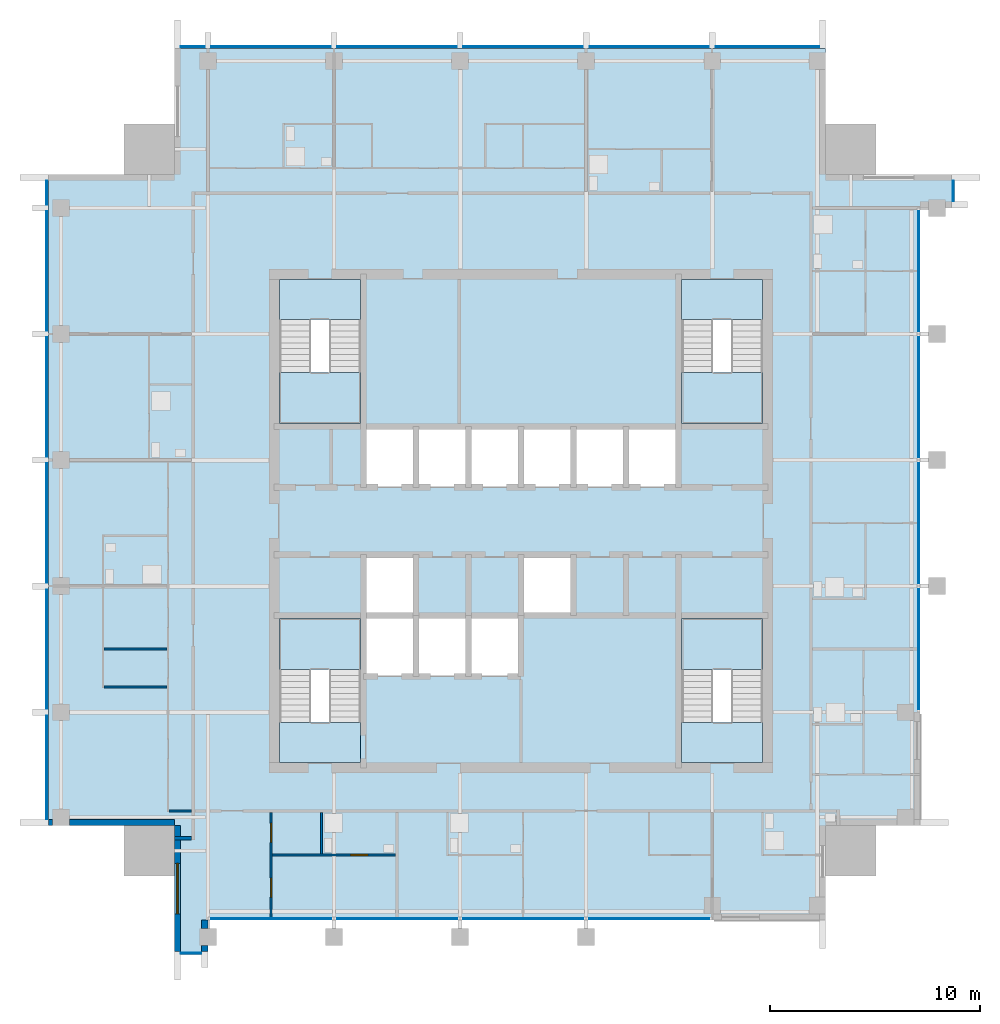
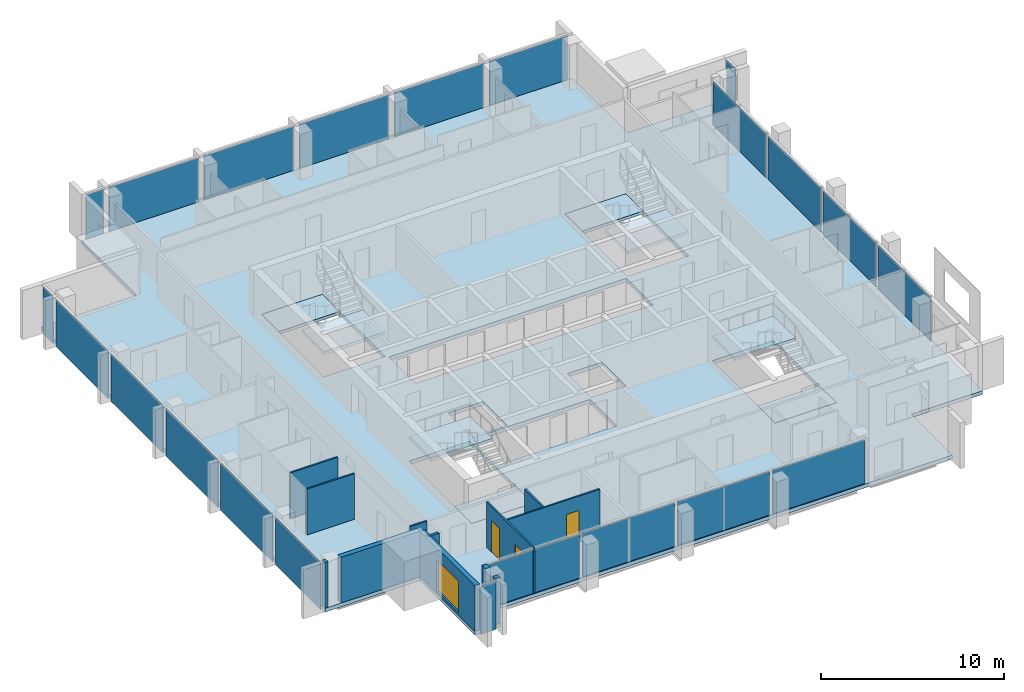
# One storey, part 6 of 13: 22 plates, 12 walls, 9 slabs, 3 doors, 1 window, 4 openings, 16 elements without a shape of their own.
"""IFC4 building model written with IfcOpenShell, lengths in metres."""

from ifc_helpers import new_model, si_unit, direction, frame, frame_2d, origin, origin_2d, place, context, subcontext, project, spatial, polyline, rectangle, outline, extrude, material, layer, layer_set, type_object, element, fill, aggregate, save


model = new_model("IFC4")

# Units and contexts
model_context = context("Model", 3, precision=1e-05, world=origin(), true_north=direction((0.0, 1.0)))
body_context = subcontext(model_context, "Body", "Model", "MODEL_VIEW")
ifc_project = project(units=[si_unit("LENGTHUNIT", "METRE"), si_unit("AREAUNIT", "SQUARE_METRE"), si_unit("VOLUMEUNIT", "CUBIC_METRE"), si_unit("PLANEANGLEUNIT", "RADIAN"), si_unit("MASSUNIT", "GRAM", prefix="KILO")], contexts=[model_context])

# Site, building, storey
site_placement = place(None, origin())
site = spatial("IfcSite", under=ifc_project, at=site_placement, CompositionType="ELEMENT")
building_placement = place(site_placement, origin())
building = spatial("IfcBuilding", under=site, at=building_placement, Name="Amberfall Residences", CompositionType="ELEMENT")
storey_placement = place(building_placement, frame((0.0, 0.0, 271.89990234375)))
storey = spatial("IfcBuildingStorey", under=building, at=storey_placement, Name="L73", CompositionType="ELEMENT", Elevation=271.89990234375)

# Curtain wall, plate
ifc_material_1 = material(Name="Bronze anodised aluminium and glass", Category="aluminium")
curtain_wall_type_1 = type_object("IfcCurtainWallType", Name="Curtain wall CW1 tower unit", PredefinedType="USERDEFINED", material=ifc_material_1)
curtain_wall_1_placement = place(storey_placement, origin())
curtain_wall_1 = element("IfcCurtainWall", 1, at=curtain_wall_1_placement, inside=storey, type_object=curtain_wall_type_1, Name="Curtain wall L73 S S1", ObjectType="UNITISED CURTAIN WALL", PredefinedType="USERDEFINED")
ifc_material_2 = material(Name="Tinted double glazed unit", Category="glass")
ifc_layer_1 = layer(ifc_material_2, 0.035888671875)
ifc_layer_set_1 = layer_set([ifc_layer_1], Name="CW1 panel 36 glazing")
plate_type_1 = type_object("IfcPlateType", Name="CW1 panel 36 glazing", PredefinedType="CURTAIN_PANEL", material=ifc_layer_set_1)
plate_1_placement = place(storey_placement, frame((58.800048828125, 24.925048828125, -0.249755859375), z_axis=(0.0, 0.0, 1.0), x_axis=(1.0, 0.0, 0.0)))
plate_1 = element("IfcPlate", 2, at=plate_1_placement, type_object=plate_type_1, Name="CW1 panel 1.1", PredefinedType="CURTAIN_PANEL", context=body_context, shape_type="SweptSolid", body=[
    extrude(rectangle(XDim=0.97607421875, YDim=0.035888671875, at=origin_2d()), origin(), (0.0, 0.0, 1.0), 3.14990234375),
])
aggregate(curtain_wall_1, [plate_1])

curtain_wall_2_placement = place(storey_placement, origin())
curtain_wall_2 = element("IfcCurtainWall", 3, at=curtain_wall_2_placement, inside=storey, type_object=curtain_wall_type_1, Name="Curtain wall L73 E E7", ObjectType="UNITISED CURTAIN WALL", PredefinedType="USERDEFINED")
plate_2_placement = place(storey_placement, frame((95.074951171875, 61.199951171875, -0.249755859375), z_axis=(0.0, 0.0, 1.0), x_axis=(0.0, 1.0, 0.0)))
plate_2 = element("IfcPlate", 4, at=plate_2_placement, type_object=plate_type_1, Name="CW1 panel 1.1", PredefinedType="CURTAIN_PANEL", context=body_context, shape_type="SweptSolid", body=[
    extrude(rectangle(XDim=0.97607421875, YDim=0.035888671875, at=origin_2d()), origin(), (0.0, 0.0, 1.0), 3.14990234375),
])
aggregate(curtain_wall_2, [plate_2])

# Curtain wall, plates
curtain_wall_3_placement = place(storey_placement, origin())
curtain_wall_3 = element("IfcCurtainWall", 5, at=curtain_wall_3_placement, inside=storey, type_object=curtain_wall_type_1, Name="Curtain wall L73 N N1", ObjectType="UNITISED CURTAIN WALL", PredefinedType="USERDEFINED")
plate_3_placement = place(storey_placement, frame((86.22509765625, 68.074951171875, -0.249755859375), z_axis=(0.0, 0.0, 1.0), x_axis=(-1.0, 0.0, 0.0)))
plate_3 = element("IfcPlate", 6, at=plate_3_placement, type_object=plate_type_1, Name="CW1 panel 1.1", PredefinedType="CURTAIN_PANEL", context=body_context, shape_type="SweptSolid", body=[
    extrude(rectangle(XDim=4.926025390625, YDim=0.035888671875, at=origin_2d()), origin(), (0.0, 0.0, 1.0), 3.14990234375),
])
plate_4_placement = place(storey_placement, frame((80.60009765625, 68.074951171875, -0.249755859375), z_axis=(0.0, 0.0, 1.0), x_axis=(-1.0, 0.0, 0.0)))
plate_4 = element("IfcPlate", 7, at=plate_4_placement, type_object=plate_type_1, Name="CW1 panel 2.1", PredefinedType="CURTAIN_PANEL", context=body_context, shape_type="SweptSolid", body=[
    extrude(rectangle(XDim=5.676025390625, YDim=0.035888671875, at=origin_2d()), origin(), (0.0, 0.0, 1.0), 3.14990234375),
])
plate_5_placement = place(storey_placement, frame((74.60009765625, 68.074951171875, -0.249755859375), z_axis=(0.0, 0.0, 1.0), x_axis=(-1.0, 0.0, 0.0)))
plate_5 = element("IfcPlate", 8, at=plate_5_placement, type_object=plate_type_1, Name="CW1 panel 3.1", PredefinedType="CURTAIN_PANEL", context=body_context, shape_type="SweptSolid", body=[
    extrude(rectangle(XDim=5.676025390625, YDim=0.035888671875, at=origin_2d()), origin(), (0.0, 0.0, 1.0), 3.14990234375),
])
plate_6_placement = place(storey_placement, frame((68.60009765625, 68.074951171875, -0.249755859375), z_axis=(0.0, 0.0, 1.0), x_axis=(-1.0, 0.0, 0.0)))
plate_6 = element("IfcPlate", 9, at=plate_6_placement, type_object=plate_type_1, Name="CW1 panel 4.1", PredefinedType="CURTAIN_PANEL", context=body_context, shape_type="SweptSolid", body=[
    extrude(rectangle(XDim=5.676025390625, YDim=0.035888671875, at=origin_2d()), origin(), (0.0, 0.0, 1.0), 3.14990234375),
])
plate_7_placement = place(storey_placement, frame((62.60009765625, 68.074951171875, -0.249755859375), z_axis=(0.0, 0.0, 1.0), x_axis=(-1.0, 0.0, 0.0)))
plate_7 = element("IfcPlate", 10, at=plate_7_placement, type_object=plate_type_1, Name="CW1 panel 5.1", PredefinedType="CURTAIN_PANEL", context=body_context, shape_type="SweptSolid", body=[
    extrude(rectangle(XDim=5.676025390625, YDim=0.035888671875, at=origin_2d()), origin(), (0.0, 0.0, 1.0), 3.14990234375),
])
plate_8_placement = place(storey_placement, frame((58.875, 68.074951171875, -0.249755859375), z_axis=(0.0, 0.0, 1.0), x_axis=(-1.0, 0.0, 0.0)))
plate_8 = element("IfcPlate", 11, at=plate_8_placement, type_object=plate_type_1, Name="CW1 panel 6.1", PredefinedType="CURTAIN_PANEL", context=body_context, shape_type="SweptSolid", body=[
    extrude(rectangle(XDim=1.1259765625, YDim=0.035888671875, at=origin_2d()), origin(), (0.0, 0.0, 1.0), 3.14990234375),
])
aggregate(curtain_wall_3, [plate_3, plate_4, plate_5, plate_6, plate_7, plate_8])

curtain_wall_4_placement = place(storey_placement, origin())
curtain_wall_4 = element("IfcCurtainWall", 12, at=curtain_wall_4_placement, inside=storey, type_object=curtain_wall_type_1, Name="Curtain wall L73 W W1", ObjectType="UNITISED CURTAIN WALL", PredefinedType="USERDEFINED")
plate_9_placement = place(storey_placement, frame((51.925048828125, 61.125, -0.249755859375), z_axis=(0.0, 0.0, 1.0), x_axis=(0.0, -1.0, 0.0)))
plate_9 = element("IfcPlate", 13, at=plate_9_placement, type_object=plate_type_1, Name="CW1 panel 1.1", PredefinedType="CURTAIN_PANEL", context=body_context, shape_type="SweptSolid", body=[
    extrude(rectangle(XDim=1.1259765625, YDim=0.035888671875, at=origin_2d()), origin(), (0.0, 0.0, 1.0), 3.14990234375),
])
plate_10_placement = place(storey_placement, frame((51.925048828125, 57.39990234375, -0.249755859375), z_axis=(0.0, 0.0, 1.0), x_axis=(0.0, -1.0, 0.0)))
plate_10 = element("IfcPlate", 14, at=plate_10_placement, type_object=plate_type_1, Name="CW1 panel 2.1", PredefinedType="CURTAIN_PANEL", context=body_context, shape_type="SweptSolid", body=[
    extrude(rectangle(XDim=5.676025390625, YDim=0.035888671875, at=origin_2d()), origin(), (0.0, 0.0, 1.0), 3.14990234375),
])
plate_11_placement = place(storey_placement, frame((51.925048828125, 51.39990234375, -0.249755859375), z_axis=(0.0, 0.0, 1.0), x_axis=(0.0, -1.0, 0.0)))
plate_11 = element("IfcPlate", 15, at=plate_11_placement, type_object=plate_type_1, Name="CW1 panel 3.1", PredefinedType="CURTAIN_PANEL", context=body_context, shape_type="SweptSolid", body=[
    extrude(rectangle(XDim=5.676025390625, YDim=0.035888671875, at=origin_2d()), origin(), (0.0, 0.0, 1.0), 3.14990234375),
])
plate_12_placement = place(storey_placement, frame((51.925048828125, 45.39990234375, -0.249755859375), z_axis=(0.0, 0.0, 1.0), x_axis=(0.0, -1.0, 0.0)))
plate_12 = element("IfcPlate", 16, at=plate_12_placement, type_object=plate_type_1, Name="CW1 panel 4.1", PredefinedType="CURTAIN_PANEL", context=body_context, shape_type="SweptSolid", body=[
    extrude(rectangle(XDim=5.676025390625, YDim=0.035888671875, at=origin_2d()), origin(), (0.0, 0.0, 1.0), 3.14990234375),
])
plate_13_placement = place(storey_placement, frame((51.925048828125, 39.39990234375, -0.249755859375), z_axis=(0.0, 0.0, 1.0), x_axis=(0.0, -1.0, 0.0)))
plate_13 = element("IfcPlate", 17, at=plate_13_placement, type_object=plate_type_1, Name="CW1 panel 5.1", PredefinedType="CURTAIN_PANEL", context=body_context, shape_type="SweptSolid", body=[
    extrude(rectangle(XDim=5.676025390625, YDim=0.035888671875, at=origin_2d()), origin(), (0.0, 0.0, 1.0), 3.14990234375),
])
plate_14_placement = place(storey_placement, frame((51.925048828125, 33.77490234375, -0.249755859375), z_axis=(0.0, 0.0, 1.0), x_axis=(0.0, -1.0, 0.0)))
plate_14 = element("IfcPlate", 18, at=plate_14_placement, type_object=plate_type_1, Name="CW1 panel 6.1", PredefinedType="CURTAIN_PANEL", context=body_context, shape_type="SweptSolid", body=[
    extrude(rectangle(XDim=4.926025390625, YDim=0.035888671875, at=origin_2d()), origin(), (0.0, 0.0, 1.0), 3.14990234375),
])
aggregate(curtain_wall_4, [plate_9, plate_10, plate_11, plate_12, plate_13, plate_14])

# Curtain wall, plate
curtain_wall_type_2 = type_object("IfcCurtainWallType", Name="Curtain wall CW3 sky garden glazing", PredefinedType="USERDEFINED", material=ifc_material_1)
curtain_wall_5_placement = place(storey_placement, origin())
curtain_wall_5 = element("IfcCurtainWall", 19, at=curtain_wall_5_placement, inside=storey, type_object=curtain_wall_type_2, Name="Curtain wall L73 S S3", ObjectType="UNITISED CURTAIN WALL", PredefinedType="USERDEFINED")
ifc_material_3 = material(Name="Tinted laminated double glazed unit", Category="glass")
ifc_layer_2 = layer(ifc_material_3, 0.0439453125)
ifc_layer_set_2 = layer_set([ifc_layer_2], Name="CW3 panel 44 glazing")
plate_type_2 = type_object("IfcPlateType", Name="CW3 panel 44 glazing", PredefinedType="CURTAIN_PANEL", material=ifc_layer_set_2)
plate_15_placement = place(storey_placement, frame((62.60009765625, 26.574951171875, 0.000244140625), z_axis=(0.0, 0.0, 1.0), x_axis=(1.0, 0.0, 0.0)))
plate_15 = element("IfcPlate", 20, at=plate_15_placement, type_object=plate_type_2, Name="CW3 panel 1.1", PredefinedType="CURTAIN_PANEL", context=body_context, shape_type="SweptSolid", body=[
    extrude(rectangle(XDim=5.77587890625, YDim=0.0439453125, at=origin_2d()), origin(), (0.0, 0.0, 1.0), 2.89990234375),
])
aggregate(curtain_wall_5, [plate_15])

curtain_wall_6_placement = place(storey_placement, origin())
curtain_wall_6 = element("IfcCurtainWall", 21, at=curtain_wall_6_placement, inside=storey, type_object=curtain_wall_type_2, Name="Curtain wall L73 S S4", ObjectType="UNITISED CURTAIN WALL", PredefinedType="USERDEFINED")
plate_16_placement = place(storey_placement, frame((68.60009765625, 26.574951171875, 0.000244140625), z_axis=(0.0, 0.0, 1.0), x_axis=(1.0, 0.0, 0.0)))
plate_16 = element("IfcPlate", 22, at=plate_16_placement, type_object=plate_type_2, Name="CW3 panel 1.1", PredefinedType="CURTAIN_PANEL", context=body_context, shape_type="SweptSolid", body=[
    extrude(rectangle(XDim=5.77587890625, YDim=0.0439453125, at=origin_2d()), origin(), (0.0, 0.0, 1.0), 2.89990234375),
])
aggregate(curtain_wall_6, [plate_16])

curtain_wall_7_placement = place(storey_placement, origin())
curtain_wall_7 = element("IfcCurtainWall", 23, at=curtain_wall_7_placement, inside=storey, type_object=curtain_wall_type_2, Name="Curtain wall L73 S S5", ObjectType="UNITISED CURTAIN WALL", PredefinedType="USERDEFINED")
plate_17_placement = place(storey_placement, frame((74.60009765625, 26.574951171875, 0.000244140625), z_axis=(0.0, 0.0, 1.0), x_axis=(1.0, 0.0, 0.0)))
plate_17 = element("IfcPlate", 24, at=plate_17_placement, type_object=plate_type_2, Name="CW3 panel 1.1", PredefinedType="CURTAIN_PANEL", context=body_context, shape_type="SweptSolid", body=[
    extrude(rectangle(XDim=5.77587890625, YDim=0.0439453125, at=origin_2d()), origin(), (0.0, 0.0, 1.0), 2.89990234375),
])
aggregate(curtain_wall_7, [plate_17])

curtain_wall_8_placement = place(storey_placement, origin())
curtain_wall_8 = element("IfcCurtainWall", 25, at=curtain_wall_8_placement, inside=storey, type_object=curtain_wall_type_2, Name="Curtain wall L73 S S6", ObjectType="UNITISED CURTAIN WALL", PredefinedType="USERDEFINED")
plate_18_placement = place(storey_placement, frame((80.60009765625, 26.574951171875, 0.000244140625), z_axis=(0.0, 0.0, 1.0), x_axis=(1.0, 0.0, 0.0)))
plate_18 = element("IfcPlate", 26, at=plate_18_placement, type_object=plate_type_2, Name="CW3 panel 1.1", PredefinedType="CURTAIN_PANEL", context=body_context, shape_type="SweptSolid", body=[
    extrude(rectangle(XDim=5.77587890625, YDim=0.0439453125, at=origin_2d()), origin(), (0.0, 0.0, 1.0), 2.89990234375),
])
aggregate(curtain_wall_8, [plate_18])

curtain_wall_9_placement = place(storey_placement, origin())
curtain_wall_9 = element("IfcCurtainWall", 27, at=curtain_wall_9_placement, inside=storey, type_object=curtain_wall_type_2, Name="Curtain wall L73 E E2", ObjectType="UNITISED CURTAIN WALL", PredefinedType="USERDEFINED")
plate_19_placement = place(storey_placement, frame((93.425048828125, 39.39990234375, 0.000244140625), z_axis=(0.0, 0.0, 1.0), x_axis=(0.0, 1.0, 0.0)))
plate_19 = element("IfcPlate", 28, at=plate_19_placement, type_object=plate_type_2, Name="CW3 panel 1.1", PredefinedType="CURTAIN_PANEL", context=body_context, shape_type="SweptSolid", body=[
    extrude(rectangle(XDim=5.77587890625, YDim=0.0439453125, at=origin_2d()), origin(), (0.0, 0.0, 1.0), 2.89990234375),
])
aggregate(curtain_wall_9, [plate_19])

curtain_wall_10_placement = place(storey_placement, origin())
curtain_wall_10 = element("IfcCurtainWall", 29, at=curtain_wall_10_placement, inside=storey, type_object=curtain_wall_type_2, Name="Curtain wall L73 E E3", ObjectType="UNITISED CURTAIN WALL", PredefinedType="USERDEFINED")
plate_20_placement = place(storey_placement, frame((93.425048828125, 45.39990234375, 0.000244140625), z_axis=(0.0, 0.0, 1.0), x_axis=(0.0, 1.0, 0.0)))
plate_20 = element("IfcPlate", 30, at=plate_20_placement, type_object=plate_type_2, Name="CW3 panel 1.1", PredefinedType="CURTAIN_PANEL", context=body_context, shape_type="SweptSolid", body=[
    extrude(rectangle(XDim=5.77587890625, YDim=0.0439453125, at=origin_2d()), origin(), (0.0, 0.0, 1.0), 2.89990234375),
])
aggregate(curtain_wall_10, [plate_20])

curtain_wall_11_placement = place(storey_placement, origin())
curtain_wall_11 = element("IfcCurtainWall", 31, at=curtain_wall_11_placement, inside=storey, type_object=curtain_wall_type_2, Name="Curtain wall L73 E E4", ObjectType="UNITISED CURTAIN WALL", PredefinedType="USERDEFINED")
plate_21_placement = place(storey_placement, frame((93.425048828125, 51.39990234375, 0.000244140625), z_axis=(0.0, 0.0, 1.0), x_axis=(0.0, 1.0, 0.0)))
plate_21 = element("IfcPlate", 32, at=plate_21_placement, type_object=plate_type_2, Name="CW3 panel 1.1", PredefinedType="CURTAIN_PANEL", context=body_context, shape_type="SweptSolid", body=[
    extrude(rectangle(XDim=5.77587890625, YDim=0.0439453125, at=origin_2d()), origin(), (0.0, 0.0, 1.0), 2.89990234375),
])
aggregate(curtain_wall_11, [plate_21])

curtain_wall_12_placement = place(storey_placement, origin())
curtain_wall_12 = element("IfcCurtainWall", 33, at=curtain_wall_12_placement, inside=storey, type_object=curtain_wall_type_2, Name="Curtain wall L73 E E5", ObjectType="UNITISED CURTAIN WALL", PredefinedType="USERDEFINED")
plate_22_placement = place(storey_placement, frame((93.425048828125, 57.39990234375, 0.000244140625), z_axis=(0.0, 0.0, 1.0), x_axis=(0.0, 1.0, 0.0)))
plate_22 = element("IfcPlate", 34, at=plate_22_placement, type_object=plate_type_2, Name="CW3 panel 1.1", PredefinedType="CURTAIN_PANEL", context=body_context, shape_type="SweptSolid", body=[
    extrude(rectangle(XDim=5.77587890625, YDim=0.0439453125, at=origin_2d()), origin(), (0.0, 0.0, 1.0), 2.89990234375),
])
aggregate(curtain_wall_12, [plate_22])

# Slab
ifc_material_4 = material(Name="Concrete C50", Category="concrete")
ifc_layer_3 = layer(ifc_material_4, 0.25)
ifc_layer_set_3 = layer_set([ifc_layer_3], Name="Floor slab 250 C50")
slab_type_1 = type_object("IfcSlabType", Name="Floor slab 250 C50", PredefinedType="FLOOR", material=ifc_layer_set_3)
slab_1_placement = place(storey_placement, frame((0.0, 0.0, -0.25)))
element("IfcSlab", 35, at=slab_1_placement, inside=storey, type_object=slab_type_1, Name="Floor slab S19 L73", PredefinedType="FLOOR", context=body_context, shape_type="SweptSolid", body=[
    extrude(outline(polyline([(83.60009765625, 26.5), (77.60009765625, 26.5), (71.60009765625, 26.5), (65.60009765625, 26.5), (59.60009765625, 26.5), (59.60009765625, 25.0), (58.0, 25.0), (58.0, 31.0), (52.0, 31.0), (52.0, 62.0), (58.0, 62.0), (58.0, 68.0), (89.0, 68.0), (89.0, 62.0), (95.0, 62.0), (95.0, 60.39990234375), (93.5, 60.39990234375), (93.5, 54.39990234375), (93.5, 48.39990234375), (93.5, 42.39990234375), (93.5, 36.39990234375), (93.5, 31.0), (89.0, 31.0), (89.0, 26.5), (83.60009765625, 26.5)]), holes=[polyline([(86.0, 34.0), (86.0, 40.85009765625), (82.14990234375, 40.85009765625), (82.14990234375, 34.0), (86.0, 34.0)]), polyline([(86.0, 50.14990234375), (86.0, 57.0), (82.14990234375, 57.0), (82.14990234375, 50.14990234375), (86.0, 50.14990234375)]), polyline([(72.0, 50.0), (69.5, 50.0), (67.0, 50.0), (67.0, 47.10009765625), (69.5, 47.10009765625), (72.0, 47.10009765625), (74.5, 47.10009765625), (77.0, 47.10009765625), (79.5, 47.10009765625), (82.0, 47.10009765625), (82.0, 50.0), (79.5, 50.0), (77.0, 50.0), (74.5, 50.0), (72.0, 50.0)]), polyline([(76.85009765625, 41.14990234375), (76.85009765625, 43.75), (74.64990234375, 43.75), (74.64990234375, 41.14990234375), (76.85009765625, 41.14990234375)]), polyline([(69.5, 41.0), (67.0, 41.0), (67.0, 38.10009765625), (69.5, 38.10009765625), (72.0, 38.10009765625), (74.5, 38.10009765625), (74.5, 41.0), (72.0, 41.0), (69.5, 41.0)]), polyline([(69.35009765625, 41.14990234375), (69.35009765625, 43.75), (67.14990234375, 43.75), (67.14990234375, 41.14990234375), (69.35009765625, 41.14990234375)]), polyline([(66.85009765625, 50.14990234375), (66.85009765625, 57.0), (63.0, 57.0), (63.0, 50.14990234375), (66.85009765625, 50.14990234375)]), polyline([(66.85009765625, 40.85009765625), (63.0, 40.85009765625), (63.0, 34.0), (66.85009765625, 34.0), (66.85009765625, 40.85009765625)])]), origin(), (0.0, 0.0, 1.0), 0.25),
])

# Stair, slabs
ifc_material_5 = material(Name="Concrete C40", Category="concrete")
stair_type = type_object("IfcStairType", Name="Exit stair 20 risers 165.0 mm", PredefinedType="HALF_TURN_STAIR", material=ifc_material_5)
stair_1_placement = place(storey_placement, origin())
stair_1 = element("IfcStair", 36, at=stair_1_placement, inside=storey, type_object=stair_type, Name="L73 Exit stair 1", PredefinedType="HALF_TURN_STAIR")
ifc_layer_4 = layer(ifc_material_5, 0.199951171875)
ifc_layer_set_4 = layer_set([ifc_layer_4], Name="Stair landing 200")
slab_type_2 = type_object("IfcSlabType", Name="Stair landing 200", PredefinedType="LANDING", material=ifc_layer_set_4)
slab_2_placement = place(storey_placement, frame((0.0, 0.0, 1.4501953125)))
slab_2 = element("IfcSlab", 37, at=slab_2_placement, type_object=slab_type_2, Name="ST3 landing 1", PredefinedType="LANDING", context=body_context, shape_type="SweptSolid", body=[
    extrude(outline(polyline([(66.85009765625, 38.419921875), (66.85009765625, 40.85009765625), (63.0, 40.85009765625), (63.0, 38.419921875), (66.85009765625, 38.419921875)])), origin(), (0.0, 0.0, 1.0), 0.199951171875),
])
slab_3_placement = place(storey_placement, frame((0.0, 0.0, -0.199951171875)))
slab_3 = element("IfcSlab", 38, at=slab_3_placement, type_object=slab_type_2, Name="ST3 landing 2", PredefinedType="LANDING", context=body_context, shape_type="SweptSolid", body=[
    extrude(outline(polyline([(66.85009765625, 34.0), (66.85009765625, 35.89990234375), (63.0, 35.89990234375), (63.0, 34.0), (66.85009765625, 34.0)])), origin(), (0.0, 0.0, 1.0), 0.199951171875),
])
aggregate(stair_1, [slab_2, slab_3])

stair_2_placement = place(storey_placement, origin())
stair_2 = element("IfcStair", 39, at=stair_2_placement, inside=storey, type_object=stair_type, Name="L73 Exit stair 2", PredefinedType="HALF_TURN_STAIR")
slab_4_placement = place(storey_placement, frame((0.0, 0.0, 1.4501953125)))
slab_4 = element("IfcSlab", 40, at=slab_4_placement, type_object=slab_type_2, Name="ST3 landing 1", PredefinedType="LANDING", context=body_context, shape_type="SweptSolid", body=[
    extrude(outline(polyline([(86.0, 38.419921875), (86.0, 40.85009765625), (82.14990234375, 40.85009765625), (82.14990234375, 38.419921875), (86.0, 38.419921875)])), origin(), (0.0, 0.0, 1.0), 0.199951171875),
])
slab_5_placement = place(storey_placement, frame((0.0, 0.0, -0.199951171875)))
slab_5 = element("IfcSlab", 41, at=slab_5_placement, type_object=slab_type_2, Name="ST3 landing 2", PredefinedType="LANDING", context=body_context, shape_type="SweptSolid", body=[
    extrude(outline(polyline([(86.0, 34.0), (86.0, 35.89990234375), (82.14990234375, 35.89990234375), (82.14990234375, 34.0), (86.0, 34.0)])), origin(), (0.0, 0.0, 1.0), 0.199951171875),
])
aggregate(stair_2, [slab_4, slab_5])

stair_3_placement = place(storey_placement, origin())
stair_3 = element("IfcStair", 42, at=stair_3_placement, inside=storey, type_object=stair_type, Name="L73 Exit stair 3", PredefinedType="HALF_TURN_STAIR")
slab_6_placement = place(storey_placement, frame((0.0, 0.0, 1.4501953125)))
slab_6 = element("IfcSlab", 43, at=slab_6_placement, type_object=slab_type_2, Name="ST3 landing 1", PredefinedType="LANDING", context=body_context, shape_type="SweptSolid", body=[
    extrude(outline(polyline([(82.14990234375, 52.580078125), (82.14990234375, 50.14990234375), (86.0, 50.14990234375), (86.0, 52.580078125), (82.14990234375, 52.580078125)])), origin(), (0.0, 0.0, 1.0), 0.199951171875),
])
slab_7_placement = place(storey_placement, frame((0.0, 0.0, -0.199951171875)))
slab_7 = element("IfcSlab", 44, at=slab_7_placement, type_object=slab_type_2, Name="ST3 landing 2", PredefinedType="LANDING", context=body_context, shape_type="SweptSolid", body=[
    extrude(outline(polyline([(82.14990234375, 57.0), (82.14990234375, 55.10009765625), (86.0, 55.10009765625), (86.0, 57.0), (82.14990234375, 57.0)])), origin(), (0.0, 0.0, 1.0), 0.199951171875),
])
aggregate(stair_3, [slab_6, slab_7])

stair_4_placement = place(storey_placement, origin())
stair_4 = element("IfcStair", 45, at=stair_4_placement, inside=storey, type_object=stair_type, Name="L73 Exit stair 4", PredefinedType="HALF_TURN_STAIR")
slab_8_placement = place(storey_placement, frame((0.0, 0.0, 1.4501953125)))
slab_8 = element("IfcSlab", 46, at=slab_8_placement, type_object=slab_type_2, Name="ST3 landing 1", PredefinedType="LANDING", context=body_context, shape_type="SweptSolid", body=[
    extrude(outline(polyline([(63.0, 52.580078125), (63.0, 50.14990234375), (66.85009765625, 50.14990234375), (66.85009765625, 52.580078125), (63.0, 52.580078125)])), origin(), (0.0, 0.0, 1.0), 0.199951171875),
])
slab_9_placement = place(storey_placement, frame((0.0, 0.0, -0.199951171875)))
slab_9 = element("IfcSlab", 47, at=slab_9_placement, type_object=slab_type_2, Name="ST3 landing 2", PredefinedType="LANDING", context=body_context, shape_type="SweptSolid", body=[
    extrude(outline(polyline([(63.0, 57.0), (63.0, 55.10009765625), (66.85009765625, 55.10009765625), (66.85009765625, 57.0), (63.0, 57.0)])), origin(), (0.0, 0.0, 1.0), 0.199951171875),
])
aggregate(stair_4, [slab_8, slab_9])

# Walls
ifc_material_6 = material(Name="Pale stone cladding on insulated backing", Category="masonry")
ifc_layer_5 = layer(ifc_material_6, 0.300048828125)
ifc_layer_set_5 = layer_set([ifc_layer_5], Name="Bronze clad wall 300")
wall_type_1 = type_object("IfcWallType", Name="Bronze clad wall 300", PredefinedType="SOLIDWALL", material=ifc_layer_set_5)
wall_1_placement = place(storey_placement, frame((59.449951171875, 25.0, 0.0), z_axis=(0.0, 0.0, 1.0), x_axis=(0.0, 1.0, 0.0)))
element("IfcWall", 48, at=wall_1_placement, inside=storey, type_object=wall_type_1, Name="External wall L73 S", PredefinedType="SOLIDWALL", context=body_context, shape_type="SweptSolid", body=[
    extrude(rectangle(XDim=0.300048828125, YDim=0.300048828125, at=frame_2d((0.14990234375, 0.0))), origin(), (0.0, 0.0, 1.0), 3.050048828125),
])
wall_2_placement = place(storey_placement, frame((59.449951171875, 26.10009765625, 0.0), z_axis=(0.0, 0.0, 1.0), x_axis=(0.0, 1.0, 0.0)))
element("IfcWall", 49, at=wall_2_placement, inside=storey, type_object=wall_type_1, Name="External wall L73 S", PredefinedType="SOLIDWALL", context=body_context, shape_type="SweptSolid", body=[
    extrude(rectangle(XDim=0.39990234375, YDim=0.300048828125, at=frame_2d((0.199951171875, 0.0))), origin(), (0.0, 0.0, 1.0), 3.050048828125),
])
wall_3_placement = place(storey_placement, frame((52.0, 31.14990234375, 0.0), z_axis=(0.0, 0.0, 1.0), x_axis=(1.0, 0.0, 0.0)))
element("IfcWall", 50, at=wall_3_placement, inside=storey, type_object=wall_type_1, Name="External wall L73 SW", PredefinedType="SOLIDWALL", context=body_context, shape_type="SweptSolid", body=[
    extrude(rectangle(XDim=0.199951171875, YDim=0.300048828125, at=frame_2d((0.10009765625, 0.0))), origin(), (0.0, 0.0, 1.0), 3.050048828125),
])
wall_4_placement = place(storey_placement, frame((53.0, 31.14990234375, 0.0), z_axis=(0.0, 0.0, 1.0), x_axis=(1.0, 0.0, 0.0)))
element("IfcWall", 51, at=wall_4_placement, inside=storey, type_object=wall_type_1, Name="External wall L73 SW", PredefinedType="SOLIDWALL", context=body_context, shape_type="SweptSolid", body=[
    extrude(rectangle(XDim=5.0, YDim=0.300048828125, at=frame_2d((2.5, 0.0))), origin(), (0.0, 0.0, 1.0), 3.050048828125),
])

# Wall, opening, window
wall_5_placement = place(storey_placement, frame((58.14990234375, 31.0, 0.0), z_axis=(0.0, 0.0, 1.0), x_axis=(0.0, -1.0, 0.0)))
wall_5 = element("IfcWall", 52, at=wall_5_placement, inside=storey, type_object=wall_type_1, Name="External wall L73 SW", PredefinedType="SOLIDWALL", context=body_context, shape_type="SweptSolid", body=[
    extrude(rectangle(XDim=6.0, YDim=0.300048828125, at=frame_2d((3.0, 0.0))), origin(), (0.0, 0.0, 1.0), 3.050048828125),
])
opening_1_placement = place(wall_5_placement, frame((1.800048828125, 0.0, 0.14990234375)))
opening_1 = element("IfcOpeningElement", 53, at=opening_1_placement, cuts=wall_5, Name="Opening WN5", PredefinedType="OPENING", context=body_context, shape_type="SweptSolid", body=[
    extrude(rectangle(XDim=2.39990234375, YDim=2.10009765625, at=frame_2d((1.199951171875, 1.050048828125))), frame((0.0, 0.159912109375, 0.0), z_axis=(0.0, -1.0, 0.0), x_axis=(1.0, 0.0, 0.0)), (0.0, 0.0, 1.0), 0.320068359375),
])
ifc_material_7 = material(Name="Bronze aluminium framed glazing", Category="aluminium")
window_type = type_object("IfcWindowType", Name="Glazed opening 2400 x 2100 bronze", PartitioningType="DOUBLE_PANEL_VERTICAL", PredefinedType="WINDOW", material=ifc_material_7)
window_placement = place(opening_1_placement, origin())
window = element("IfcWindow", 54, at=window_placement, inside=storey, type_object=window_type, Name="Window L73 SW", OverallHeight=2.10009765625, OverallWidth=2.39990234375, PartitioningType="DOUBLE_PANEL_VERTICAL", PredefinedType="WINDOW", context=body_context, shape_type="SweptSolid", body=[
    extrude(rectangle(XDim=2.39990234375, YDim=2.10009765625, at=frame_2d((1.199951171875, 1.050048828125))), frame((0.0, 0.030029296875, 0.0), z_axis=(0.0, -1.0, 0.0), x_axis=(1.0, 0.0, 0.0)), (0.0, 0.0, 1.0), 0.06005859375),
])
fill(opening_1, window)

# Wall, openings, doors
ifc_material_8 = material(Name="Gypsum board on metal stud")
ifc_layer_6 = layer(ifc_material_8, 0.10009765625)
ifc_layer_set_6 = layer_set([ifc_layer_6], Name="Flat partition 100")
wall_type_2 = type_object("IfcWallType", Name="Flat partition 100", PredefinedType="PARTITIONING", material=ifc_layer_set_6)
wall_6_placement = place(storey_placement, frame((62.60009765625, 31.625, 0.0), z_axis=(0.0, 0.0, 1.0), x_axis=(0.0, -1.0, 0.0)))
wall_6 = element("IfcWall", 55, at=wall_6_placement, inside=storey, type_object=wall_type_2, Name="Partition 004", PredefinedType="PARTITIONING", context=body_context, shape_type="SweptSolid", body=[
    extrude(rectangle(XDim=5.125, YDim=0.10009765625, at=frame_2d((2.5625, 0.0))), origin(), (0.0, 0.0, 1.0), 3.050048828125),
])
opening_2_placement = place(wall_6_placement, frame((0.52490234375, 0.0, 0.0)))
opening_2 = element("IfcOpeningElement", 56, at=opening_2_placement, cuts=wall_6, Name="Opening D41", PredefinedType="OPENING", context=body_context, shape_type="SweptSolid", body=[
    extrude(rectangle(XDim=0.89990234375, YDim=2.10009765625, at=frame_2d((0.449951171875, 1.050048828125))), frame((0.0, 0.06005859375, 0.0), z_axis=(0.0, -1.0, 0.0), x_axis=(1.0, 0.0, 0.0)), (0.0, 0.0, 1.0), 0.1201171875),
])
opening_3_placement = place(wall_6_placement, frame((3.125, 0.0, 0.0)))
opening_3 = element("IfcOpeningElement", 57, at=opening_3_placement, cuts=wall_6, Name="Opening D41", PredefinedType="OPENING", context=body_context, shape_type="SweptSolid", body=[
    extrude(rectangle(XDim=0.89990234375, YDim=2.10009765625, at=frame_2d((0.449951171875, 1.050048828125))), frame((0.0, 0.06005859375, 0.0), z_axis=(0.0, -1.0, 0.0), x_axis=(1.0, 0.0, 0.0)), (0.0, 0.0, 1.0), 0.1201171875),
])
ifc_material_9 = material(Name="Timber", Category="wood")
door_type_1 = type_object("IfcDoorType", Name="Internal door 900 x 2100", OperationType="SINGLE_SWING_LEFT", PredefinedType="DOOR", material=ifc_material_9)
door_1_placement = place(opening_2_placement, origin())
door_1 = element("IfcDoor", 58, at=door_1_placement, inside=storey, type_object=door_type_1, Name="Door 7301 kitchen", OperationType="SINGLE_SWING_LEFT", OverallHeight=2.10009765625, OverallWidth=0.89990234375, PredefinedType="DOOR", context=body_context, shape_type="SweptSolid", body=[
    extrude(rectangle(XDim=0.89990234375, YDim=2.10009765625, at=frame_2d((0.449951171875, 1.050048828125))), frame((0.0, 0.02490234375, 0.0), z_axis=(0.0, -1.0, 0.0), x_axis=(1.0, 0.0, 0.0)), (0.0, 0.0, 1.0), 0.050048828125),
])
fill(opening_2, door_1)
door_2_placement = place(opening_3_placement, origin())
door_2 = element("IfcDoor", 59, at=door_2_placement, inside=storey, type_object=door_type_1, Name="Door 7301 bedroom1", OperationType="SINGLE_SWING_LEFT", OverallHeight=2.10009765625, OverallWidth=0.89990234375, PredefinedType="DOOR", context=body_context, shape_type="SweptSolid", body=[
    extrude(rectangle(XDim=0.89990234375, YDim=2.10009765625, at=frame_2d((0.449951171875, 1.050048828125))), frame((0.0, 0.02490234375, 0.0), z_axis=(0.0, -1.0, 0.0), x_axis=(1.0, 0.0, 0.0)), (0.0, 0.0, 1.0), 0.050048828125),
])
fill(opening_3, door_2)

# Walls
wall_7_placement = place(storey_placement, frame((65.0, 29.64990234375, 0.0), z_axis=(0.0, 0.0, 1.0), x_axis=(0.0, 1.0, 0.0)))
element("IfcWall", 60, at=wall_7_placement, inside=storey, type_object=wall_type_2, Name="Partition 006", PredefinedType="PARTITIONING", context=body_context, shape_type="SweptSolid", body=[
    extrude(rectangle(XDim=1.97509765625, YDim=0.10009765625, at=frame_2d((0.987548828125, 0.0))), origin(), (0.0, 0.0, 1.0), 3.050048828125),
])
for number, where, z_axis, x_axis, name in (
    (61, (54.64990234375, 39.39990234375, 0.0), (0.0, 0.0, 1.0), (1.0, 0.0, 0.0), "Partition 033"),
    (62, (54.64990234375, 37.60009765625, 0.0), (0.0, 0.0, 1.0), (1.0, 0.0, 0.0), "Partition 034"),
):
    element("IfcWall", number, at=place(storey_placement, frame(where, z_axis=z_axis, x_axis=x_axis)), inside=storey, type_object=wall_type_2, Name=name, PredefinedType="PARTITIONING", context=body_context, shape_type="SweptSolid", body=[
        extrude(rectangle(XDim=3.0, YDim=0.10009765625, at=frame_2d((1.5, 0.0))), origin(), (0.0, 0.0, 1.0), 3.050048828125),
    ])
wall_8_placement = place(storey_placement, frame((57.75, 31.699951171875, 0.0), z_axis=(0.0, 0.0, 1.0), x_axis=(1.0, 0.0, 0.0)))
element("IfcWall", 63, at=wall_8_placement, inside=storey, type_object=wall_type_2, Name="Partition 037", PredefinedType="PARTITIONING", context=body_context, shape_type="SweptSolid", body=[
    extrude(rectangle(XDim=1.074951171875, YDim=0.10009765625, at=frame_2d((0.53759765625, 0.0))), origin(), (0.0, 0.0, 1.0), 3.050048828125),
])

# Wall, opening, door
wall_9_placement = place(storey_placement, frame((62.64990234375, 29.60009765625, 0.0), z_axis=(0.0, 0.0, 1.0), x_axis=(1.0, 0.0, 0.0)))
wall_9 = element("IfcWall", 64, at=wall_9_placement, inside=storey, type_object=wall_type_2, Name="Partition 038", PredefinedType="PARTITIONING", context=body_context, shape_type="SweptSolid", body=[
    extrude(rectangle(XDim=5.875, YDim=0.10009765625, at=frame_2d((2.9375, 0.0))), origin(), (0.0, 0.0, 1.0), 3.050048828125),
])
opening_4_placement = place(wall_9_placement, frame((3.75, 0.0, 0.0)))
opening_4 = element("IfcOpeningElement", 65, at=opening_4_placement, cuts=wall_9, Name="Opening D42", PredefinedType="OPENING", context=body_context, shape_type="SweptSolid", body=[
    extrude(rectangle(XDim=0.800048828125, YDim=2.10009765625, at=frame_2d((0.39990234375, 1.050048828125))), frame((0.0, 0.06005859375, 0.0), z_axis=(0.0, -1.0, 0.0), x_axis=(1.0, 0.0, 0.0)), (0.0, 0.0, 1.0), 0.1201171875),
])
door_type_2 = type_object("IfcDoorType", Name="Bathroom door 800 x 2100", OperationType="SINGLE_SWING_LEFT", PredefinedType="DOOR", material=ifc_material_9)
door_3_placement = place(opening_4_placement, origin())
door_3 = element("IfcDoor", 66, at=door_3_placement, inside=storey, type_object=door_type_2, Name="Door 7301 bath1", OperationType="SINGLE_SWING_LEFT", OverallHeight=2.10009765625, OverallWidth=0.800048828125, PredefinedType="DOOR", context=body_context, shape_type="SweptSolid", body=[
    extrude(rectangle(XDim=0.800048828125, YDim=2.10009765625, at=frame_2d((0.39990234375, 1.050048828125))), frame((0.0, 0.02490234375, 0.0), z_axis=(0.0, -1.0, 0.0), x_axis=(1.0, 0.0, 0.0)), (0.0, 0.0, 1.0), 0.050048828125),
])
fill(opening_4, door_3)

# Wall
ifc_material_10 = material(Name="Blockwork, plastered", Category="masonry")
ifc_layer_7 = layer(ifc_material_10, 0.14990234375)
ifc_layer_set_7 = layer_set([ifc_layer_7], Name="Flat separating wall 150")
wall_type_3 = type_object("IfcWallType", Name="Flat separating wall 150", PredefinedType="PARTITIONING", material=ifc_layer_set_7)
wall_10_placement = place(storey_placement, frame((58.0, 30.39990234375, 0.0), z_axis=(0.0, 0.0, 1.0), x_axis=(1.0, 0.0, 0.0)))
element("IfcWall", 67, at=wall_10_placement, inside=storey, type_object=wall_type_3, Name="Separating wall 053", PredefinedType="PARTITIONING", context=body_context, shape_type="SweptSolid", body=[
    extrude(rectangle(XDim=0.824951171875, YDim=0.14990234375, at=frame_2d((0.41259765625, 0.0))), origin(), (0.0, 0.0, 1.0), 3.050048828125),
])

save(model, "model.ifc")
